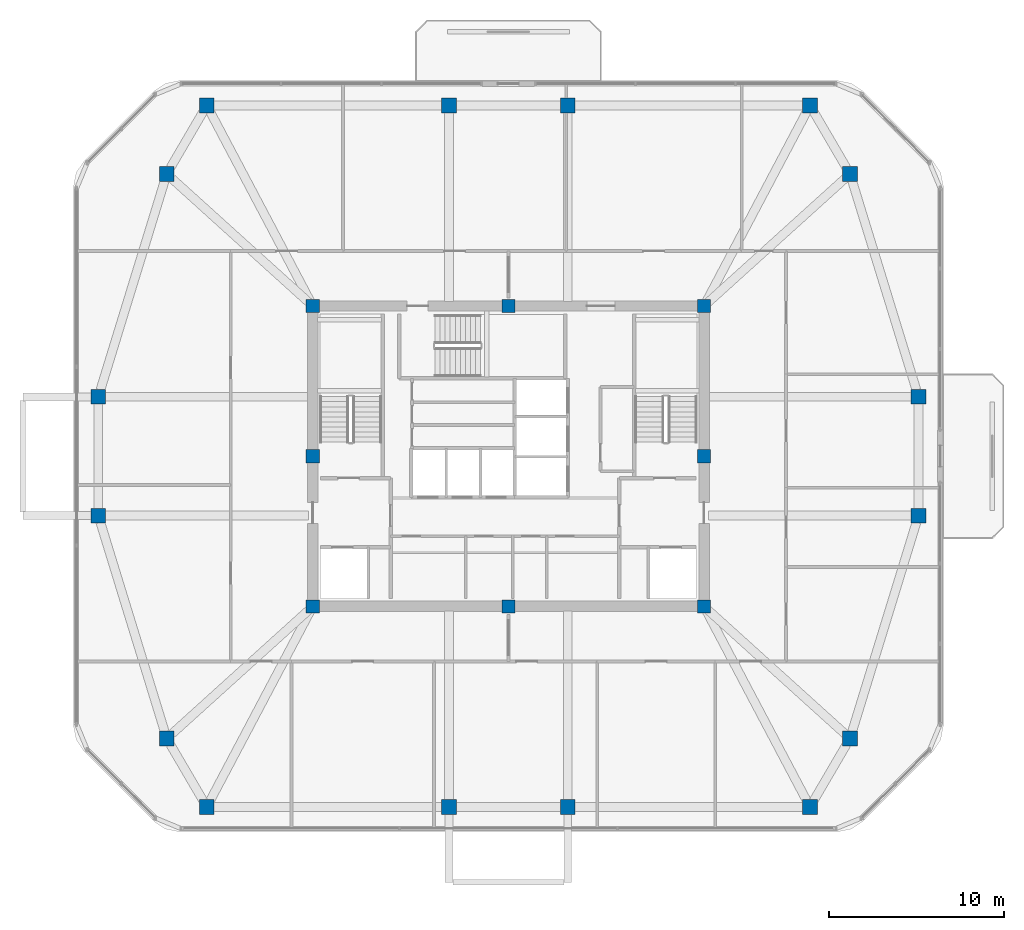
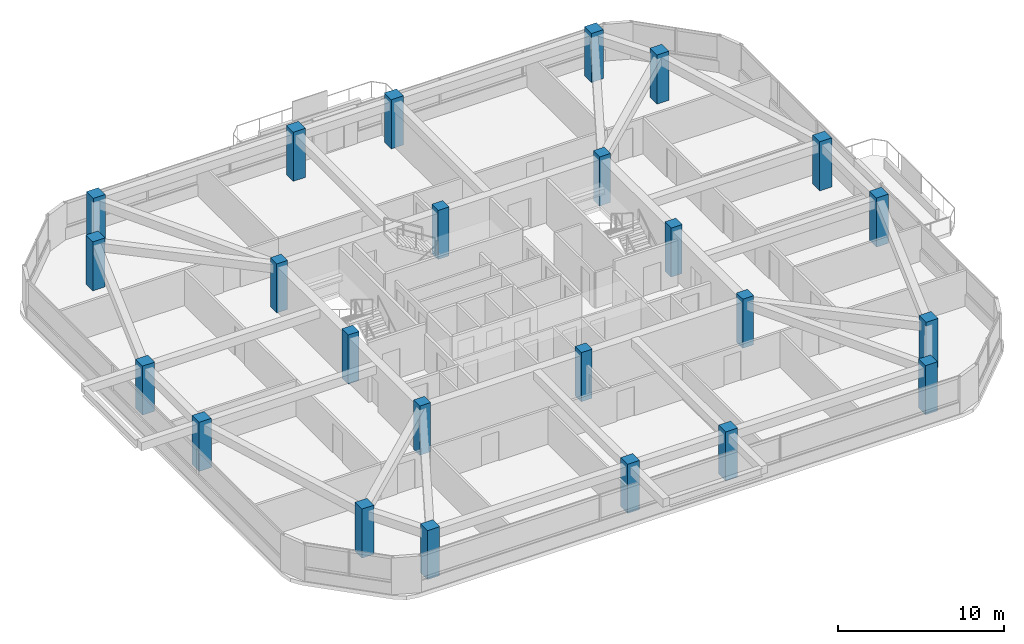
# One storey, part 1 of 14: 24 columns.
"""IFC4 building model written with IfcOpenShell, lengths in metres."""

from ifc_helpers import new_model, si_unit, derived_unit, direction, frame, origin, origin_2d, place, context, subcontext, project, spatial, rectangle, extrude, material, material_profile, profile_set, type_object, element, save


model = new_model("IFC4")

# Units and contexts
model_context = context("Model", 3, precision=1e-05, world=origin(), true_north=direction((0.0, 1.0)))
body_context = subcontext(model_context, "Body", "Model", "MODEL_VIEW")
ifc_project = project(units=[si_unit("LENGTHUNIT", "METRE"), si_unit("AREAUNIT", "SQUARE_METRE"), si_unit("VOLUMEUNIT", "CUBIC_METRE"), si_unit("PLANEANGLEUNIT", "RADIAN"), si_unit("MASSUNIT", "GRAM", prefix="KILO"), derived_unit("THERMALTRANSMITTANCEUNIT", [(si_unit("POWERUNIT", "WATT"), 1), (si_unit("LENGTHUNIT", "METRE"), -2), (si_unit("THERMODYNAMICTEMPERATUREUNIT", "KELVIN"), -1)])], contexts=[model_context])

# Site, building, storey
site_placement = place(None, origin())
site = spatial("IfcSite", under=ifc_project, at=site_placement, CompositionType="ELEMENT")
building_placement = place(site_placement, origin())
building = spatial("IfcBuilding", under=site, at=building_placement, Name="Koralith Skygarden Medical Center", CompositionType="ELEMENT")
storey_placement = place(building_placement, frame((0.0, 0.0, 275.219970703125)))
storey = spatial("IfcBuildingStorey", under=building, at=storey_placement, Name="L71", CompositionType="ELEMENT", Elevation=275.219970703125)

# Columns
ifc_material = material(Name="Concrete C55/67", Category="concrete")
ifc_material_profile_1 = material_profile(ifc_material, rectangle(XDim=0.760009765625, YDim=0.760009765625, at=origin_2d()), Name="RC760X760")
ifc_profile_set_1 = profile_set([ifc_material_profile_1], Name="Concrete C55/67")
column_type_1 = type_object("IfcColumnType", Name="Core Crown Column C55 RC760", PredefinedType="COLUMN", material=ifc_profile_set_1)
for number, where, z_axis, x_axis, name in (
    (1, (25.800048828125, 17.300048828125, 0.0), (0.0, 0.0, 1.0), (1.0, 0.0, 0.0), "L71 Core Column CC-01"),
    (2, (37.0, 17.300048828125, 0.0), (0.0, 0.0, 1.0), (1.0, 0.0, 0.0), "L71 Core Column CC-02"),
    (3, (48.199951171875, 17.300048828125, 0.0), (0.0, 0.0, 1.0), (1.0, 0.0, 0.0), "L71 Core Column CC-03"),
    (4, (48.199951171875, 25.89990234375, 0.0), (0.0, 0.0, 1.0), (1.0, 0.0, 0.0), "L71 Core Column CC-04"),
    (5, (48.199951171875, 34.5, 0.0), (0.0, 0.0, 1.0), (1.0, 0.0, 0.0), "L71 Core Column CC-05"),
    (6, (37.0, 34.5, 0.0), (0.0, 0.0, 1.0), (1.0, 0.0, 0.0), "L71 Core Column CC-06"),
    (7, (25.800048828125, 34.5, 0.0), (0.0, 0.0, 1.0), (1.0, 0.0, 0.0), "L71 Core Column CC-07"),
    (8, (25.800048828125, 25.89990234375, 0.0), (0.0, 0.0, 1.0), (1.0, 0.0, 0.0), "L71 Core Column CC-08"),
):
    element("IfcColumn", number, at=place(storey_placement, frame(where, z_axis=z_axis, x_axis=x_axis)), inside=storey, type_object=column_type_1, Name=name, PredefinedType="COLUMN", context=body_context, shape_type="SweptSolid", body=[
        extrude(rectangle(XDim=0.760009765625, YDim=0.760009765625, at=origin_2d()), origin(), (0.0, 0.0, 1.0), 3.60009765625),
    ])
ifc_material_profile_2 = material_profile(ifc_material, rectangle(XDim=0.840087890625, YDim=0.840087890625, at=origin_2d()), Name="RC840X840")
ifc_profile_set_2 = profile_set([ifc_material_profile_2], Name="Concrete C55/67")
column_type_2 = type_object("IfcColumnType", Name="Zone 5 Upper Mega-Column C55 RC840", PredefinedType="COLUMN", material=ifc_profile_set_2)
for number, where, z_axis, x_axis, name in (
    (9, (13.52001953125, 22.5, 0.0), (0.0, 0.0, 1.0), (1.0, 0.0, 0.0), "L71 Perimeter Mega-Column MC-01"),
    (10, (17.43994140625, 9.739990234375, 0.0), (0.0, 0.0, 1.0), (1.0, 0.0, 0.0), "L71 Perimeter Mega-Column MC-02"),
    (11, (19.73193359375, 5.820068359375, 0.0), (0.0, 0.0, 1.0), (1.0, 0.0, 0.0), "L71 Perimeter Mega-Column MC-03"),
    (12, (33.60009765625, 5.820068359375, 0.0), (0.0, 0.0, 1.0), (1.0, 0.0, 0.0), "L71 Perimeter Mega-Column MC-04"),
    (13, (40.39990234375, 5.820068359375, 0.0), (0.0, 0.0, 1.0), (1.0, 0.0, 0.0), "L71 Perimeter Mega-Column MC-05"),
    (14, (54.26806640625, 5.820068359375, 0.0), (0.0, 0.0, 1.0), (1.0, 0.0, 0.0), "L71 Perimeter Mega-Column MC-06"),
    (15, (56.56005859375, 9.739990234375, 0.0), (0.0, 0.0, 1.0), (1.0, 0.0, 0.0), "L71 Perimeter Mega-Column MC-07"),
    (16, (60.47998046875, 22.5, 0.0), (0.0, 0.0, 1.0), (1.0, 0.0, 0.0), "L71 Perimeter Mega-Column MC-08"),
    (17, (60.47998046875, 29.300048828125, 0.0), (0.0, 0.0, 1.0), (1.0, 0.0, 0.0), "L71 Perimeter Mega-Column MC-09"),
    (18, (56.56005859375, 42.06005859375, 0.0), (0.0, 0.0, 1.0), (1.0, 0.0, 0.0), "L71 Perimeter Mega-Column MC-10"),
    (19, (54.26806640625, 45.97998046875, 0.0), (0.0, 0.0, 1.0), (1.0, 0.0, 0.0), "L71 Perimeter Mega-Column MC-11"),
    (20, (40.39990234375, 45.97998046875, 0.0), (0.0, 0.0, 1.0), (1.0, 0.0, 0.0), "L71 Perimeter Mega-Column MC-12"),
    (21, (33.60009765625, 45.97998046875, 0.0), (0.0, 0.0, 1.0), (1.0, 0.0, 0.0), "L71 Perimeter Mega-Column MC-13"),
    (22, (19.73193359375, 45.97998046875, 0.0), (0.0, 0.0, 1.0), (1.0, 0.0, 0.0), "L71 Perimeter Mega-Column MC-14"),
    (23, (17.43994140625, 42.06005859375, 0.0), (0.0, 0.0, 1.0), (1.0, 0.0, 0.0), "L71 Perimeter Mega-Column MC-15"),
    (24, (13.52001953125, 29.300048828125, 0.0), (0.0, 0.0, 1.0), (1.0, 0.0, 0.0), "L71 Perimeter Mega-Column MC-16"),
):
    element("IfcColumn", number, at=place(storey_placement, frame(where, z_axis=z_axis, x_axis=x_axis)), inside=storey, type_object=column_type_2, Name=name, PredefinedType="COLUMN", context=body_context, shape_type="SweptSolid", body=[
        extrude(rectangle(XDim=0.840087890625, YDim=0.840087890625, at=origin_2d()), origin(), (0.0, 0.0, 1.0), 3.60009765625),
    ])

save(model, "model.ifc")
